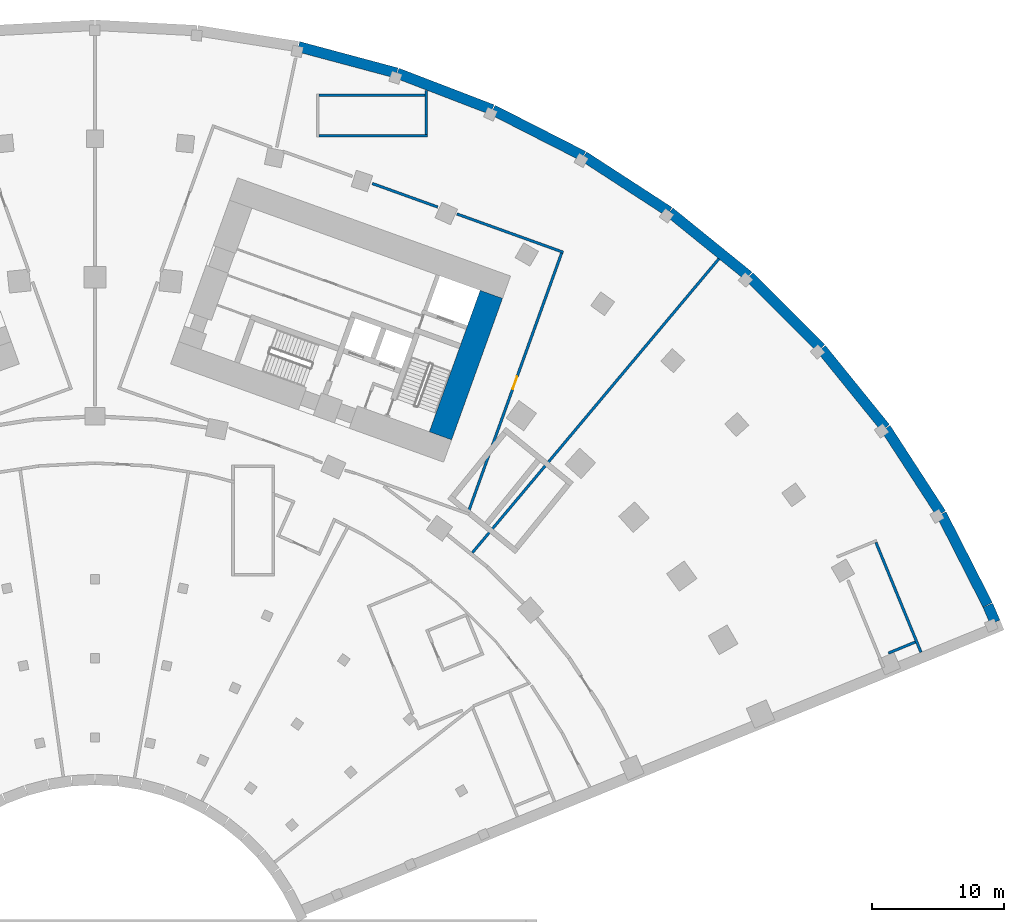
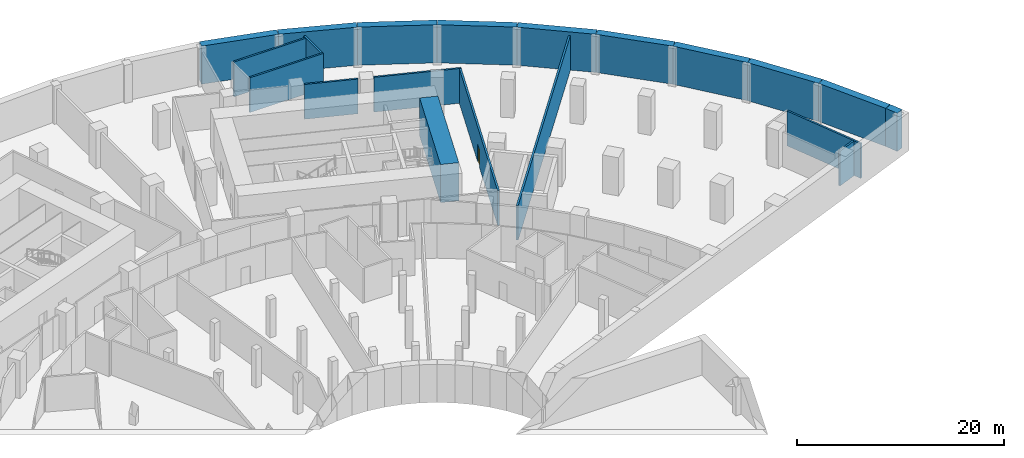
# One storey, part 13 of 21: 20 walls, 1 door, 1 opening.
"""IFC4 building model written with IfcOpenShell, lengths in metres."""

from ifc_helpers import new_model, si_unit, direction, frame, frame_2d, origin, place, context, subcontext, project, spatial, rectangle, extrude, material, layer, layer_set, type_object, element, fill, save


model = new_model("IFC4")

# Units and contexts
model_context = context("Model", 3, precision=1e-05, world=origin(), true_north=direction((0.0, 1.0)))
body_context = subcontext(model_context, "Body", "Model", "MODEL_VIEW")
ifc_project = project(units=[si_unit("LENGTHUNIT", "METRE"), si_unit("AREAUNIT", "SQUARE_METRE"), si_unit("VOLUMEUNIT", "CUBIC_METRE"), si_unit("PLANEANGLEUNIT", "RADIAN"), si_unit("MASSUNIT", "GRAM", prefix="KILO")], contexts=[model_context])

# Site, building, storey
site_placement = place(None, origin())
site = spatial("IfcSite", under=ifc_project, at=site_placement, CompositionType="ELEMENT")
building_placement = place(site_placement, origin())
building = spatial("IfcBuilding", under=site, at=building_placement, Name="Stone Belt Terrace Tower", CompositionType="ELEMENT")
storey_placement = place(building_placement, frame((0.0, 0.0, -9.0)))
storey = spatial("IfcBuildingStorey", under=building, at=storey_placement, Name="B2", CompositionType="ELEMENT", Elevation=-9.0)

# Walls
ifc_material_1 = material(Name="Concrete B30", Category="concrete")
ifc_layer_1 = layer(ifc_material_1, 0.800048828125)
ifc_layer_set_1 = layer_set([ifc_layer_1], Name="Basement wall 800 B30")
wall_type_1 = type_object("IfcWallType", Name="Basement wall 800 B30", PredefinedType="SHEAR", material=ifc_layer_set_1)
wall_1_placement = place(storey_placement, frame((68.25, 28.837646484375, 0.0), z_axis=(0.0, 0.0, 1.0), x_axis=(-0.393052783466, 0.919515910362, 0.0)))
element("IfcWall", 1, at=wall_1_placement, inside=storey, type_object=wall_type_1, Name="Basement wall B2 24", PredefinedType="SHEAR", context=body_context, shape_type="SweptSolid", body=[
    extrude(rectangle(XDim=1.39453125, YDim=0.800048828125, at=frame_2d((0.697265625, 0.0))), origin(), (0.0, 0.0, 1.0), 4.5),
])
wall_2_placement = place(storey_placement, frame((67.6904296875, 30.144287109375, 0.0), z_axis=(0.0, 0.0, 1.0), x_axis=(-0.453998176185, 0.891002612803, 0.0)))
element("IfcWall", 2, at=wall_2_placement, inside=storey, type_object=wall_type_1, Name="Basement wall B2 25", PredefinedType="SHEAR", context=body_context, shape_type="SweptSolid", body=[
    extrude(rectangle(XDim=7.729248046875, YDim=0.800048828125, at=frame_2d((3.86474609375, 0.0))), origin(), (0.0, 0.0, 1.0), 4.5),
])
for number, where, z_axis, x_axis, name in (
    (3, (64.16064453125, 37.0673828125, 0.0), (0.0, 0.0, 1.0), (-0.544654589696, 0.838660466412, 0.0), "Basement wall B2 26"),
    (4, (59.9345703125, 43.57080078125, 0.0), (0.0, 0.0, 1.0), (-0.629319306922, 0.777146839365, 0.0), "Basement wall B2 27"),
    (5, (55.0517578125, 49.596923828125, 0.0), (0.0, 0.0, 1.0), (-0.707106781187, 0.707106781187, 0.0), "Basement wall B2 28"),
    (6, (49.56591796875, 55.079833984375, 0.0), (0.0, 0.0, 1.0), (-0.777146839365, 0.629319306922, 0.0), "Basement wall B2 29"),
    (7, (43.537109375, 59.958984375, 0.0), (0.0, 0.0, 1.0), (-0.838660466412, 0.544654589696, 0.0), "Basement wall B2 30"),
):
    element("IfcWall", number, at=place(storey_placement, frame(where, z_axis=z_axis, x_axis=x_axis)), inside=storey, type_object=wall_type_1, Name=name, PredefinedType="SHEAR", context=body_context, shape_type="SweptSolid", body=[
        extrude(rectangle(XDim=7.71435546875, YDim=0.800048828125, at=frame_2d((3.857177734375, 0.0))), origin(), (0.0, 0.0, 1.0), 4.5),
    ])
wall_3_placement = place(storey_placement, frame((37.031005859375, 64.181396484375, 0.0), z_axis=(0.0, 0.0, 1.0), x_axis=(-0.89100229919, 0.45399879167, 0.0)))
element("IfcWall", 8, at=wall_3_placement, inside=storey, type_object=wall_type_1, Name="Basement wall B2 31", PredefinedType="SHEAR", context=body_context, shape_type="SweptSolid", body=[
    extrude(rectangle(XDim=7.714111328125, YDim=0.800048828125, at=frame_2d((3.85693359375, 0.0))), origin(), (0.0, 0.0, 1.0), 4.5),
])
wall_4_placement = place(storey_placement, frame((30.119384765625, 67.70068359375, 0.0), z_axis=(0.0, 0.0, 1.0), x_axis=(-0.933576245877, 0.358378840243, 0.0)))
element("IfcWall", 9, at=wall_4_placement, inside=storey, type_object=wall_type_1, Name="Basement wall B2 32", PredefinedType="SHEAR", context=body_context, shape_type="SweptSolid", body=[
    extrude(rectangle(XDim=7.71435546875, YDim=0.800048828125, at=frame_2d((3.857177734375, 0.0))), origin(), (0.0, 0.0, 1.0), 4.5),
])
wall_5_placement = place(storey_placement, frame((22.877685546875, 70.478271484375, 0.0), z_axis=(0.0, 0.0, 1.0), x_axis=(-0.965924317831, 0.25882467468, 0.0)))
element("IfcWall", 10, at=wall_5_placement, inside=storey, type_object=wall_type_1, Name="Basement wall B2 33", PredefinedType="SHEAR", context=body_context, shape_type="SweptSolid", body=[
    extrude(rectangle(XDim=7.714111328125, YDim=0.800048828125, at=frame_2d((3.85693359375, 0.0))), origin(), (0.0, 0.0, 1.0), 4.5),
])
ifc_material_2 = material(Name="Concrete B80", Category="concrete")
ifc_layer_2 = layer(ifc_material_2, 1.800048828125)
ifc_layer_set_2 = layer_set([ifc_layer_2], Name="Core wall 1800 B80")
wall_type_2 = type_object("IfcWallType", Name="Core wall 1800 B80", PredefinedType="SHEAR", material=ifc_layer_set_2)
wall_6_placement = place(storey_placement, frame((26.197509765625, 42.96728515625, 0.0), z_axis=(0.0, 0.0, 1.0), x_axis=(0.338625431531, 0.940921259788, 0.0)))
element("IfcWall", 11, at=wall_6_placement, inside=storey, type_object=wall_type_2, Name="Core B wall end_b B2", PredefinedType="SHEAR", context=body_context, shape_type="SweptSolid", body=[
    extrude(rectangle(XDim=11.400146484375, YDim=1.800048828125, at=frame_2d((5.7001953125, 0.0))), origin(), (0.0, 0.0, 1.0), 4.5),
])
ifc_material_3 = material(Name="Blockwork wall, plastered both faces", Category="masonry")
ifc_layer_3 = layer(ifc_material_3, 0.199951171875)
ifc_layer_set_3 = layer_set([ifc_layer_3], Name="Podium demising wall 200")
wall_type_3 = type_object("IfcWallType", Name="Podium demising wall 200", PredefinedType="PARTITIONING", material=ifc_layer_set_3)
wall_7_placement = place(storey_placement, frame((21.0263671875, 62.100830078125, 0.0), z_axis=(0.0, 0.0, 1.0), x_axis=(0.940913958876, -0.338645717516, 0.0)))
element("IfcWall", 12, at=wall_7_placement, inside=storey, type_object=wall_type_3, Name="Podium demising wall 200", PredefinedType="PARTITIONING", context=body_context, shape_type="SweptSolid", body=[
    extrude(rectangle(XDim=5.275146484375, YDim=0.199951171875, at=frame_2d((2.6376953125, 0.0))), origin(), (0.0, 0.0, 1.0), 4.10009765625),
])
wall_8_placement = place(storey_placement, frame((27.44580078125, 59.790283203125, 0.0), z_axis=(0.0, 0.0, 1.0), x_axis=(0.940899025417, -0.33868720668, 0.0)))
element("IfcWall", 13, at=wall_8_placement, inside=storey, type_object=wall_type_3, Name="Podium demising wall 200", PredefinedType="PARTITIONING", context=body_context, shape_type="SweptSolid", body=[
    extrude(rectangle(XDim=8.5751953125, YDim=0.199951171875, at=frame_2d((4.28759765625, 0.0))), origin(), (0.0, 0.0, 1.0), 4.10009765625),
])

# Wall, opening, door
wall_9_placement = place(storey_placement, frame((28.303955078125, 37.1640625, 0.0), z_axis=(0.0, 0.0, 1.0), x_axis=(0.338878729232, 0.940830062697, 0.0)))
wall_9 = element("IfcWall", 14, at=wall_9_placement, inside=storey, type_object=wall_type_3, Name="Podium demising wall 200", PredefinedType="PARTITIONING", context=body_context, shape_type="SweptSolid", body=[
    extrude(rectangle(XDim=20.8984375, YDim=0.199951171875, at=frame_2d((10.44921875, 0.0))), origin(), (0.0, 0.0, 1.0), 4.10009765625),
])
opening_placement = place(wall_9_placement, frame((9.94921875, 0.0, 0.0)))
opening = element("IfcOpeningElement", 15, at=opening_placement, cuts=wall_9, Name="Opening B2-P14", PredefinedType="OPENING", context=body_context, shape_type="SweptSolid", body=[
    extrude(rectangle(XDim=1.0, YDim=2.10009765625, at=frame_2d((0.5, 1.050048828125))), frame((0.0, 0.10986328125, 0.0), z_axis=(0.0, -1.0, 0.0), x_axis=(1.0, 0.0, 0.0)), (0.0, 0.0, 1.0), 0.219970703125),
])
ifc_material_4 = material(Name="Steel framed door leaf", Category="steel")
door_type = type_object("IfcDoorType", Name="Podium door single 1000", OperationType="SINGLE_SWING_LEFT", PredefinedType="DOOR", material=ifc_material_4)
door_placement = place(opening_placement, origin())
door = element("IfcDoor", 16, at=door_placement, inside=storey, type_object=door_type, Name="Podium door single 1000", OperationType="SINGLE_SWING_RIGHT", OverallHeight=2.10009765625, OverallWidth=1.0, PredefinedType="DOOR", context=body_context, shape_type="SweptSolid", body=[
    extrude(rectangle(XDim=1.0, YDim=2.10009765625, at=frame_2d((0.5, 1.050048828125))), frame((0.0, 0.02490234375, 0.0), z_axis=(0.0, -1.0, 0.0), x_axis=(1.0, 0.0, 0.0)), (0.0, 0.0, 1.0), 0.050048828125),
])
fill(opening, door)

# Walls
wall_10_placement = place(storey_placement, frame((28.614990234375, 34.103515625, 0.0), z_axis=(0.0, 0.0, 1.0), x_axis=(0.642673454249, 0.766140216412, 0.0)))
element("IfcWall", 17, at=wall_10_placement, inside=storey, type_object=wall_type_3, Name="Podium demising wall 200", PredefinedType="PARTITIONING", context=body_context, shape_type="SweptSolid", body=[
    extrude(rectangle(XDim=29.087158203125, YDim=0.199951171875, at=frame_2d((14.54345703125, 0.0))), origin(), (0.0, 0.0, 1.0), 4.10009765625),
])
ifc_layer_4 = layer(ifc_material_1, 0.199951171875)
ifc_layer_set_4 = layer_set([ifc_layer_4], Name="Podium stair and shaft wall 200")
wall_type_4 = type_object("IfcWallType", Name="Podium stair and shaft wall 200", PredefinedType="SOLIDWALL", material=ifc_layer_set_4)
wall_11_placement = place(storey_placement, frame((16.989990234375, 65.719970703125, 0.0), z_axis=(0.0, 0.0, 1.0), x_axis=(1.0, 0.0, 0.0)))
element("IfcWall", 18, at=wall_11_placement, inside=storey, type_object=wall_type_4, Name="Podium stair and shaft wall 200", PredefinedType="SOLIDWALL", context=body_context, shape_type="SweptSolid", body=[
    extrude(rectangle(XDim=8.219970703125, YDim=0.199951171875, at=frame_2d((4.10986328125, 0.0))), origin(), (0.0, 0.0, 1.0), 4.10009765625),
])
wall_12_placement = place(storey_placement, frame((16.989990234375, 68.780029296875, 0.0), z_axis=(0.0, 0.0, 1.0), x_axis=(1.0, 0.0, 0.0)))
element("IfcWall", 19, at=wall_12_placement, inside=storey, type_object=wall_type_4, Name="Podium stair and shaft wall 200", PredefinedType="SOLIDWALL", context=body_context, shape_type="SweptSolid", body=[
    extrude(rectangle(XDim=8.02001953125, YDim=0.199951171875, at=frame_2d((4.010009765625, 0.0))), origin(), (0.0, 0.0, 1.0), 4.10009765625),
])
wall_13_placement = place(storey_placement, frame((25.110107421875, 65.822021484375, 0.0), z_axis=(0.0, 0.0, 1.0), x_axis=(0.0, 1.0, 0.0)))
element("IfcWall", 20, at=wall_13_placement, inside=storey, type_object=wall_type_4, Name="Podium stair and shaft wall 200", PredefinedType="SOLIDWALL", context=body_context, shape_type="SweptSolid", body=[
    extrude(rectangle(XDim=3.334228515625, YDim=0.199951171875, at=frame_2d((1.6669921875, 0.0))), origin(), (0.0, 0.0, 1.0), 4.10009765625),
])
wall_14_placement = place(storey_placement, frame((59.218017578125, 34.887451171875, 0.0), z_axis=(0.0, 0.0, 1.0), x_axis=(0.379337507632, -0.925258372188, 0.0)))
element("IfcWall", 21, at=wall_14_placement, inside=storey, type_object=wall_type_4, Name="Podium stair and shaft wall 200", PredefinedType="SOLIDWALL", context=body_context, shape_type="SweptSolid", body=[
    extrude(rectangle(XDim=9.01025390625, YDim=0.199951171875, at=frame_2d((4.505126953125, 0.0))), origin(), (0.0, 0.0, 1.0), 4.10009765625),
])
wall_15_placement = place(storey_placement, frame((60.163818359375, 26.4912109375, 0.0), z_axis=(0.0, 0.0, 1.0), x_axis=(0.924790168115, 0.380477522278, 0.0)))
element("IfcWall", 22, at=wall_15_placement, inside=storey, type_object=wall_type_4, Name="Podium stair and shaft wall 200", PredefinedType="SOLIDWALL", context=body_context, shape_type="SweptSolid", body=[
    extrude(rectangle(XDim=2.2099609375, YDim=0.199951171875, at=frame_2d((1.10498046875, 0.0))), origin(), (0.0, 0.0, 1.0), 4.10009765625),
])

save(model, "model.ifc")
